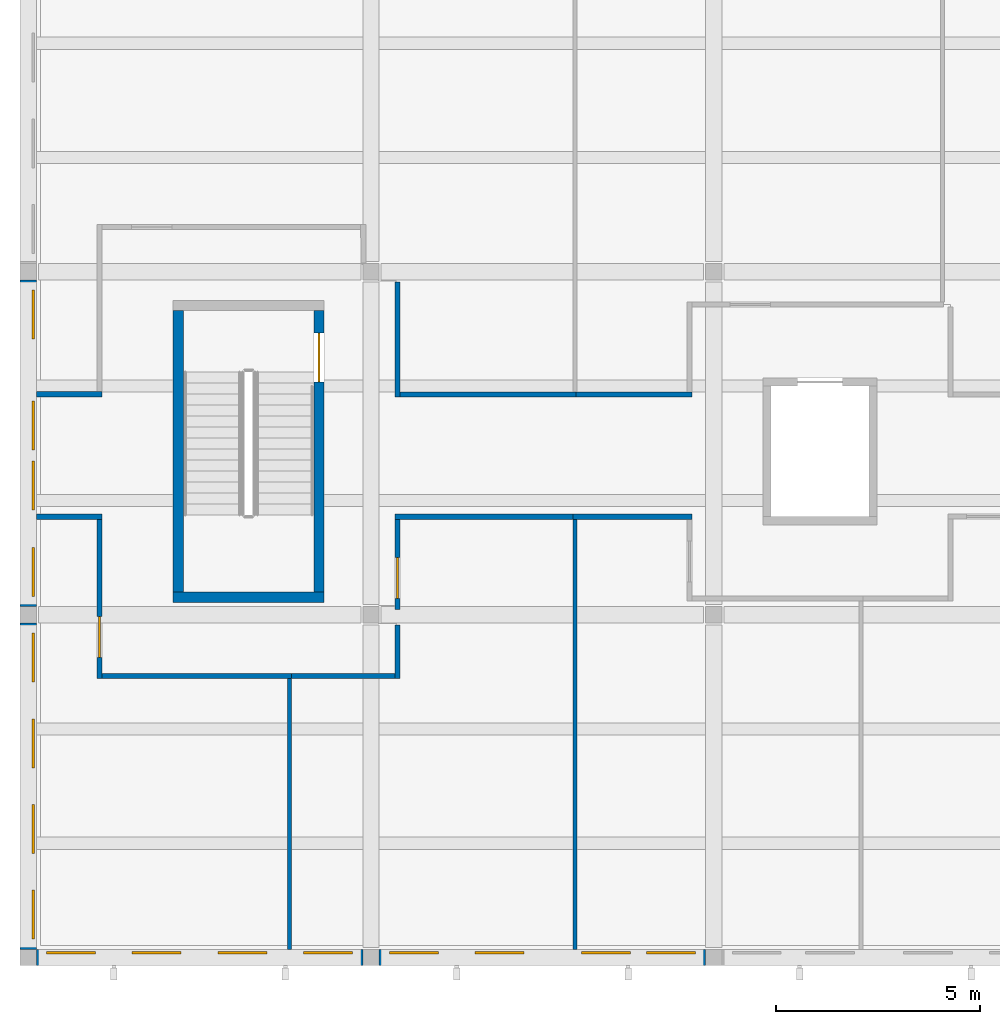
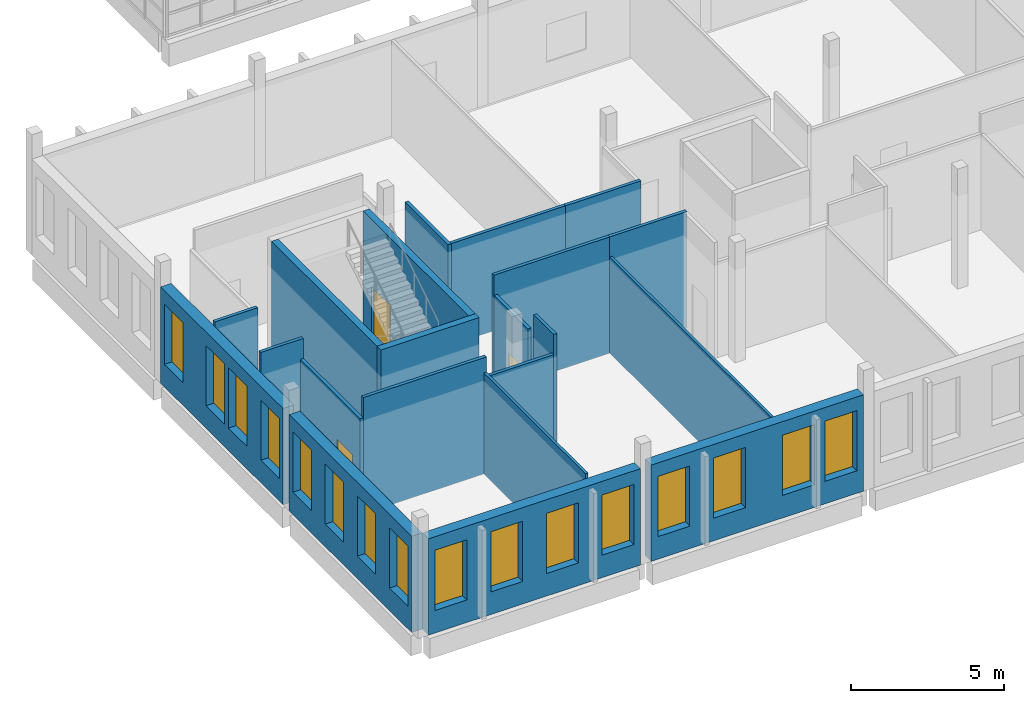
# One storey, part 49 of 103: 21 walls, 16 windows, 3 doors, 19 openings.
"""IFC4 building model written with IfcOpenShell, lengths in metres."""

from ifc_helpers import new_model, si_unit, direction, frame, frame_2d, origin, place, context, subcontext, project, spatial, rectangle, extrude, material, layer, layer_set, type_object, element, fill, save


model = new_model("IFC4")

# Units and contexts
model_context = context("Model", 3, precision=1e-05, world=origin(), true_north=direction((0.0, 1.0)))
body_context = subcontext(model_context, "Body", "Model", "MODEL_VIEW")
ifc_project = project(units=[si_unit("LENGTHUNIT", "METRE"), si_unit("AREAUNIT", "SQUARE_METRE"), si_unit("VOLUMEUNIT", "CUBIC_METRE"), si_unit("PLANEANGLEUNIT", "RADIAN"), si_unit("MASSUNIT", "GRAM", prefix="KILO")], contexts=[model_context])

# Site, building, storey
site_placement = place(None, origin())
site = spatial("IfcSite", under=ifc_project, at=site_placement, CompositionType="ELEMENT")
building_placement = place(site_placement, origin())
building = spatial("IfcBuilding", under=site, at=building_placement, Name="Larchfold Concert Hall", CompositionType="ELEMENT")
storey_placement = place(building_placement, frame((0.0, 0.0, 9.60009765625)))
storey = spatial("IfcBuildingStorey", under=building, at=storey_placement, Name="L02", CompositionType="ELEMENT", Elevation=9.60009765625)

# Wall
ifc_material_1 = material(Name="Plasterboard partition on steel studs", Category="steel")
ifc_layer_1 = layer(ifc_material_1, 0.125)
ifc_layer_set_1 = layer_set([ifc_layer_1], Name="Plasterboard partition on steel studs")
wall_type_1 = type_object("IfcWallType", Name="Corridor partition 125 EI 60", PredefinedType="PARTITIONING", material=ifc_layer_set_1)
wall_1_placement = place(storey_placement, frame((0.800048828125, 11.39990234375, 0.0), z_axis=(0.0, 0.0, 1.0), x_axis=(1.0, 0.0, 0.0)))
element("IfcWall", 1, at=wall_1_placement, inside=storey, type_object=wall_type_1, Name="Partition IW0060", PredefinedType="PARTITIONING", context=body_context, shape_type="SweptSolid", body=[
    extrude(rectangle(XDim=1.612548828125, YDim=0.125, at=frame_2d((0.80615234375, 0.0))), origin(), (0.0, 0.0, 1.0), 4.639892578125),
])

# Wall, opening, door
wall_2_placement = place(storey_placement, frame((2.35009765625, 11.33740234375, 0.0), z_axis=(0.0, 0.0, 1.0), x_axis=(0.0, -1.0, 0.0)))
wall_2 = element("IfcWall", 2, at=wall_2_placement, inside=storey, type_object=wall_type_1, Name="Partition IW0061", PredefinedType="PARTITIONING", context=body_context, shape_type="SweptSolid", body=[
    extrude(rectangle(XDim=3.89990234375, YDim=0.125, at=frame_2d((1.949951171875, 0.0))), origin(), (0.0, 0.0, 1.0), 3.840087890625),
])
opening_1_placement = place(wall_2_placement, frame((2.38720703125, 0.0, 0.0)))
opening_1 = element("IfcOpeningElement", 3, at=opening_1_placement, cuts=wall_2, Name="Opening D-L02-122", PredefinedType="OPENING", context=body_context, shape_type="SweptSolid", body=[
    extrude(rectangle(XDim=1.0, YDim=2.10009765625, at=frame_2d((0.5, 1.050048828125))), frame((0.0, 0.072509765625, 0.0), z_axis=(0.0, -1.0, 0.0), x_axis=(1.0, 0.0, 0.0)), (0.0, 0.0, 1.0), 0.14501953125),
])
ifc_material_2 = material(Name="Timber door leaf", Category="wood")
door_type_1 = type_object("IfcDoorType", Name="Room door 1000 x 2100 FD30S", OperationType="SINGLE_SWING_LEFT", PredefinedType="DOOR", material=ifc_material_2)
door_1_placement = place(opening_1_placement, origin())
door_1 = element("IfcDoor", 4, at=door_1_placement, inside=storey, type_object=door_type_1, Name="Door D-L02-122", OperationType="SINGLE_SWING_RIGHT", OverallHeight=2.10009765625, OverallWidth=1.0, PredefinedType="DOOR", context=body_context, shape_type="SweptSolid", body=[
    extrude(rectangle(XDim=1.0, YDim=2.10009765625, at=frame_2d((0.5, 1.050048828125))), frame((0.0, 0.02490234375, 0.0), z_axis=(0.0, -1.0, 0.0), x_axis=(1.0, 0.0, 0.0)), (0.0, 0.0, 1.0), 0.050048828125),
])
fill(opening_1, door_1)

# Walls
wall_3_placement = place(storey_placement, frame((2.41259765625, 7.5, 0.0), z_axis=(0.0, 0.0, 1.0), x_axis=(1.0, 0.0, 0.0)))
element("IfcWall", 5, at=wall_3_placement, inside=storey, type_object=wall_type_1, Name="Partition IW0062", PredefinedType="PARTITIONING", context=body_context, shape_type="SweptSolid", body=[
    extrude(rectangle(XDim=4.637451171875, YDim=0.125, at=frame_2d((2.31884765625, 0.0))), origin(), (0.0, 0.0, 1.0), 4.639892578125),
])
wall_4_placement = place(storey_placement, frame((13.949951171875, 11.39990234375, 0.0), z_axis=(0.0, 0.0, 1.0), x_axis=(1.0, 0.0, 0.0)))
element("IfcWall", 6, at=wall_4_placement, inside=storey, type_object=wall_type_1, Name="Partition IW0064", PredefinedType="PARTITIONING", context=body_context, shape_type="SweptSolid", body=[
    extrude(rectangle(XDim=2.91259765625, YDim=0.125, at=frame_2d((1.456298828125, 0.0))), origin(), (0.0, 0.0, 1.0), 4.639892578125),
])
wall_5_placement = place(storey_placement, frame((13.949951171875, 11.39990234375, 0.0), z_axis=(0.0, 0.0, 1.0), x_axis=(-1.0, 0.0, 0.0)))
element("IfcWall", 7, at=wall_5_placement, inside=storey, type_object=wall_type_1, Name="Partition IW0078", PredefinedType="PARTITIONING", context=body_context, shape_type="SweptSolid", body=[
    extrude(rectangle(XDim=4.362548828125, YDim=0.125, at=frame_2d((2.18115234375, 0.0))), origin(), (0.0, 0.0, 1.0), 4.639892578125),
])

# Wall, opening, door
wall_6_placement = place(storey_placement, frame((9.64990234375, 11.33740234375, 0.0), z_axis=(0.0, 0.0, 1.0), x_axis=(0.0, -1.0, 0.0)))
wall_6 = element("IfcWall", 8, at=wall_6_placement, inside=storey, type_object=wall_type_1, Name="Partition IW0079", PredefinedType="PARTITIONING", context=body_context, shape_type="SweptSolid", body=[
    extrude(rectangle(XDim=2.2099609375, YDim=0.125, at=frame_2d((1.10498046875, 0.0))), origin(), (0.0, 0.0, 1.0), 3.840087890625),
])
opening_2_placement = place(wall_6_placement, frame((0.9384765625, 0.0, 0.0)))
opening_2 = element("IfcOpeningElement", 9, at=opening_2_placement, cuts=wall_6, Name="Opening D-L02-126", PredefinedType="OPENING", context=body_context, shape_type="SweptSolid", body=[
    extrude(rectangle(XDim=1.0, YDim=2.10009765625, at=frame_2d((0.5, 1.050048828125))), frame((0.0, 0.072509765625, 0.0), z_axis=(0.0, -1.0, 0.0), x_axis=(1.0, 0.0, 0.0)), (0.0, 0.0, 1.0), 0.14501953125),
])
door_2_placement = place(opening_2_placement, origin())
door_2 = element("IfcDoor", 10, at=door_2_placement, inside=storey, type_object=door_type_1, Name="Door D-L02-126", OperationType="SINGLE_SWING_RIGHT", OverallHeight=2.10009765625, OverallWidth=1.0, PredefinedType="DOOR", context=body_context, shape_type="SweptSolid", body=[
    extrude(rectangle(XDim=1.0, YDim=2.10009765625, at=frame_2d((0.5, 1.050048828125))), frame((0.0, 0.02490234375, 0.0), z_axis=(0.0, -1.0, 0.0), x_axis=(1.0, 0.0, 0.0)), (0.0, 0.0, 1.0), 0.050048828125),
])
fill(opening_2, door_2)

# Walls
wall_7_placement = place(storey_placement, frame((9.64892578125, 8.74755859375, 0.0), z_axis=(0.0, 0.0, 1.0), x_axis=(0.0, -1.0, 0.0)))
element("IfcWall", 11, at=wall_7_placement, inside=storey, type_object=wall_type_1, Name="Partition IW0080", PredefinedType="PARTITIONING", context=body_context, shape_type="SweptSolid", body=[
    extrude(rectangle(XDim=1.30908203125, YDim=0.125, at=frame_2d((0.654541015625, 0.0))), origin(), (0.0, 0.0, 1.0), 4.639892578125),
])
wall_8_placement = place(storey_placement, frame((9.58642578125, 7.5009765625, 0.0), z_axis=(0.0, 0.0, 1.0), x_axis=(-1.0, 0.0, 0.0)))
element("IfcWall", 12, at=wall_8_placement, inside=storey, type_object=wall_type_1, Name="Partition IW0081", PredefinedType="PARTITIONING", context=body_context, shape_type="SweptSolid", body=[
    extrude(rectangle(XDim=2.536376953125, YDim=0.125, at=frame_2d((1.26806640625, 0.0))), origin(), (0.0, 0.0, 1.0), 3.840087890625),
])
wall_9_placement = place(storey_placement, frame((0.800048828125, 14.39990234375, 0.0), z_axis=(0.0, 0.0, 1.0), x_axis=(1.0, 0.0, 0.0)))
element("IfcWall", 13, at=wall_9_placement, inside=storey, type_object=wall_type_1, Name="Partition IW0088", PredefinedType="PARTITIONING", context=body_context, shape_type="SweptSolid", body=[
    extrude(rectangle(XDim=1.613525390625, YDim=0.125, at=frame_2d((0.806640625, 0.0))), origin(), (0.0, 0.0, 1.0), 4.039794921875),
])
wall_10_placement = place(storey_placement, frame((9.64892578125, 17.1474609375, 0.0), z_axis=(0.0, 0.0, 1.0), x_axis=(0.00034740314, -0.999999939656, 0.0)))
element("IfcWall", 14, at=wall_10_placement, inside=storey, type_object=wall_type_1, Name="Partition IW0092", PredefinedType="PARTITIONING", context=body_context, shape_type="SweptSolid", body=[
    extrude(rectangle(XDim=2.81103515625, YDim=0.125, at=frame_2d((1.405517578125, 0.0))), origin(), (0.0, 0.0, 1.0), 4.039794921875),
])
wall_11_placement = place(storey_placement, frame((9.71240234375, 14.39892578125, 0.0), z_axis=(0.0, 0.0, 1.0), x_axis=(1.0, 0.0, 0.0)))
element("IfcWall", 15, at=wall_11_placement, inside=storey, type_object=wall_type_1, Name="Partition IW0093", PredefinedType="PARTITIONING", context=body_context, shape_type="SweptSolid", body=[
    extrude(rectangle(XDim=4.3076171875, YDim=0.125, at=frame_2d((2.15380859375, 0.0))), origin(), (0.0, 0.0, 1.0), 4.039794921875),
])
wall_12_placement = place(storey_placement, frame((14.02001953125, 14.39892578125, 0.0), z_axis=(0.0, 0.0, 1.0), x_axis=(1.0, 0.0, 0.0)))
element("IfcWall", 16, at=wall_12_placement, inside=storey, type_object=wall_type_1, Name="Partition IW0101", PredefinedType="PARTITIONING", context=body_context, shape_type="SweptSolid", body=[
    extrude(rectangle(XDim=2.842529296875, YDim=0.125, at=frame_2d((1.42138671875, 0.0))), origin(), (0.0, 0.0, 1.0), 4.039794921875),
])

# Wall, openings, windows
ifc_material_3 = material(Name="Larch cladding on mineral wool and CLT", Category="wood")
ifc_layer_2 = layer(ifc_material_3, 0.39990234375)
ifc_layer_set_2 = layer_set([ifc_layer_2], Name="Larch cladding on mineral wool and CLT")
wall_type_2 = type_object("IfcWallType", Name="Larch clad infill wall 400", PredefinedType="SOLIDWALL", material=ifc_layer_set_2)
wall_13_placement = place(storey_placement, frame((0.60009765625, 17.199951171875, 0.0), z_axis=(0.0, 0.0, 1.0), x_axis=(0.0, -1.0, 0.0)))
wall_13 = element("IfcWall", 17, at=wall_13_placement, inside=storey, type_object=wall_type_2, Name="Infill wall W5044", PredefinedType="SOLIDWALL", context=body_context, shape_type="SweptSolid", body=[
    extrude(rectangle(XDim=8.0, YDim=0.39990234375, at=frame_2d((4.0, 0.0))), origin(), (0.0, 0.0, 1.0), 3.840087890625),
])
opening_3_placement = place(wall_13_placement, frame((6.550048828125, 0.0, 0.89990234375)))
opening_3 = element("IfcOpeningElement", 18, at=opening_3_placement, cuts=wall_13, Name="Opening WN-L02-030", PredefinedType="OPENING", context=body_context, shape_type="SweptSolid", body=[
    extrude(rectangle(XDim=1.199951171875, YDim=2.39990234375, at=frame_2d((0.60009765625, 1.199951171875))), frame((0.0, 0.2099609375, 0.0), z_axis=(0.0, -1.0, 0.0), x_axis=(1.0, 0.0, 0.0)), (0.0, 0.0, 1.0), 0.419921875),
])
opening_4_placement = place(wall_13_placement, frame((4.43505859375, 0.0, 0.89990234375)))
opening_4 = element("IfcOpeningElement", 19, at=opening_4_placement, cuts=wall_13, Name="Opening WN-L02-031", PredefinedType="OPENING", context=body_context, shape_type="SweptSolid", body=[
    extrude(rectangle(XDim=1.199951171875, YDim=2.39990234375, at=frame_2d((0.60009765625, 1.199951171875))), frame((0.0, 0.2099609375, 0.0), z_axis=(0.0, -1.0, 0.0), x_axis=(1.0, 0.0, 0.0)), (0.0, 0.0, 1.0), 0.419921875),
])
opening_5_placement = place(wall_13_placement, frame((2.96484375, 0.0, 0.89990234375)))
opening_5 = element("IfcOpeningElement", 20, at=opening_5_placement, cuts=wall_13, Name="Opening WN-L02-032", PredefinedType="OPENING", context=body_context, shape_type="SweptSolid", body=[
    extrude(rectangle(XDim=1.199951171875, YDim=2.39990234375, at=frame_2d((0.60009765625, 1.199951171875))), frame((0.0, 0.2099609375, 0.0), z_axis=(0.0, -1.0, 0.0), x_axis=(1.0, 0.0, 0.0)), (0.0, 0.0, 1.0), 0.419921875),
])
opening_6_placement = place(wall_13_placement, frame((0.25, 0.0, 0.89990234375)))
opening_6 = element("IfcOpeningElement", 21, at=opening_6_placement, cuts=wall_13, Name="Opening WN-L02-033", PredefinedType="OPENING", context=body_context, shape_type="SweptSolid", body=[
    extrude(rectangle(XDim=1.199951171875, YDim=2.39990234375, at=frame_2d((0.60009765625, 1.199951171875))), frame((0.0, 0.2099609375, 0.0), z_axis=(0.0, -1.0, 0.0), x_axis=(1.0, 0.0, 0.0)), (0.0, 0.0, 1.0), 0.419921875),
])
ifc_material_4 = material(Name="Anodised graphite aluminium frame with glass", Category="aluminium")
window_type = type_object("IfcWindowType", Name="Slot window 1200x2400", PartitioningType="SINGLE_PANEL", PredefinedType="WINDOW", material=ifc_material_4)
window_1_placement = place(opening_3_placement, origin())
window_1 = element("IfcWindow", 22, at=window_1_placement, inside=storey, type_object=window_type, Name="Window WN-L02-030", OverallHeight=2.39990234375, OverallWidth=1.199951171875, PartitioningType="SINGLE_PANEL", PredefinedType="WINDOW", context=body_context, shape_type="SweptSolid", body=[
    extrude(rectangle(XDim=1.199951171875, YDim=2.39990234375, at=frame_2d((0.60009765625, 1.199951171875))), frame((0.0, 0.150146484375, 0.0), z_axis=(0.0, -1.0, 0.0), x_axis=(1.0, 0.0, 0.0)), (0.0, 0.0, 1.0), 0.06005859375),
])
fill(opening_3, window_1)
window_2_placement = place(opening_4_placement, origin())
window_2 = element("IfcWindow", 23, at=window_2_placement, inside=storey, type_object=window_type, Name="Window WN-L02-031", OverallHeight=2.39990234375, OverallWidth=1.199951171875, PartitioningType="SINGLE_PANEL", PredefinedType="WINDOW", context=body_context, shape_type="SweptSolid", body=[
    extrude(rectangle(XDim=1.199951171875, YDim=2.39990234375, at=frame_2d((0.60009765625, 1.199951171875))), frame((0.0, 0.150146484375, 0.0), z_axis=(0.0, -1.0, 0.0), x_axis=(1.0, 0.0, 0.0)), (0.0, 0.0, 1.0), 0.06005859375),
])
fill(opening_4, window_2)
window_3_placement = place(opening_5_placement, origin())
window_3 = element("IfcWindow", 24, at=window_3_placement, inside=storey, type_object=window_type, Name="Window WN-L02-032", OverallHeight=2.39990234375, OverallWidth=1.199951171875, PartitioningType="SINGLE_PANEL", PredefinedType="WINDOW", context=body_context, shape_type="SweptSolid", body=[
    extrude(rectangle(XDim=1.199951171875, YDim=2.39990234375, at=frame_2d((0.60009765625, 1.199951171875))), frame((0.0, 0.150146484375, 0.0), z_axis=(0.0, -1.0, 0.0), x_axis=(1.0, 0.0, 0.0)), (0.0, 0.0, 1.0), 0.06005859375),
])
fill(opening_5, window_3)
window_4_placement = place(opening_6_placement, origin())
window_4 = element("IfcWindow", 25, at=window_4_placement, inside=storey, type_object=window_type, Name="Window WN-L02-033", OverallHeight=2.39990234375, OverallWidth=1.199951171875, PartitioningType="SINGLE_PANEL", PredefinedType="WINDOW", context=body_context, shape_type="SweptSolid", body=[
    extrude(rectangle(XDim=1.199951171875, YDim=2.39990234375, at=frame_2d((0.60009765625, 1.199951171875))), frame((0.0, 0.150146484375, 0.0), z_axis=(0.0, -1.0, 0.0), x_axis=(1.0, 0.0, 0.0)), (0.0, 0.0, 1.0), 0.06005859375),
])
fill(opening_6, window_4)

wall_14_placement = place(storey_placement, frame((0.60009765625, 8.800048828125, 0.0), z_axis=(0.0, 0.0, 1.0), x_axis=(0.0, -1.0, 0.0)))
wall_14 = element("IfcWall", 26, at=wall_14_placement, inside=storey, type_object=wall_type_2, Name="Infill wall W5045", PredefinedType="SOLIDWALL", context=body_context, shape_type="SweptSolid", body=[
    extrude(rectangle(XDim=8.0, YDim=0.39990234375, at=frame_2d((4.0, 0.0))), origin(), (0.0, 0.0, 1.0), 3.840087890625),
])
opening_7_placement = place(wall_14_placement, frame((6.550048828125, 0.0, 0.89990234375)))
opening_7 = element("IfcOpeningElement", 27, at=opening_7_placement, cuts=wall_14, Name="Opening WN-L02-034", PredefinedType="OPENING", context=body_context, shape_type="SweptSolid", body=[
    extrude(rectangle(XDim=1.199951171875, YDim=2.39990234375, at=frame_2d((0.60009765625, 1.199951171875))), frame((0.0, 0.2099609375, 0.0), z_axis=(0.0, -1.0, 0.0), x_axis=(1.0, 0.0, 0.0)), (0.0, 0.0, 1.0), 0.419921875),
])
opening_8_placement = place(wall_14_placement, frame((4.449951171875, 0.0, 0.89990234375)))
opening_8 = element("IfcOpeningElement", 28, at=opening_8_placement, cuts=wall_14, Name="Opening WN-L02-035", PredefinedType="OPENING", context=body_context, shape_type="SweptSolid", body=[
    extrude(rectangle(XDim=1.199951171875, YDim=2.39990234375, at=frame_2d((0.60009765625, 1.199951171875))), frame((0.0, 0.2099609375, 0.0), z_axis=(0.0, -1.0, 0.0), x_axis=(1.0, 0.0, 0.0)), (0.0, 0.0, 1.0), 0.419921875),
])
opening_9_placement = place(wall_14_placement, frame((2.35009765625, 0.0, 0.89990234375)))
opening_9 = element("IfcOpeningElement", 29, at=opening_9_placement, cuts=wall_14, Name="Opening WN-L02-036", PredefinedType="OPENING", context=body_context, shape_type="SweptSolid", body=[
    extrude(rectangle(XDim=1.199951171875, YDim=2.39990234375, at=frame_2d((0.60009765625, 1.199951171875))), frame((0.0, 0.2099609375, 0.0), z_axis=(0.0, -1.0, 0.0), x_axis=(1.0, 0.0, 0.0)), (0.0, 0.0, 1.0), 0.419921875),
])
opening_10_placement = place(wall_14_placement, frame((0.25, 0.0, 0.89990234375)))
opening_10 = element("IfcOpeningElement", 30, at=opening_10_placement, cuts=wall_14, Name="Opening WN-L02-037", PredefinedType="OPENING", context=body_context, shape_type="SweptSolid", body=[
    extrude(rectangle(XDim=1.199951171875, YDim=2.39990234375, at=frame_2d((0.60009765625, 1.199951171875))), frame((0.0, 0.2099609375, 0.0), z_axis=(0.0, -1.0, 0.0), x_axis=(1.0, 0.0, 0.0)), (0.0, 0.0, 1.0), 0.419921875),
])
window_5_placement = place(opening_7_placement, origin())
window_5 = element("IfcWindow", 31, at=window_5_placement, inside=storey, type_object=window_type, Name="Window WN-L02-034", OverallHeight=2.39990234375, OverallWidth=1.199951171875, PartitioningType="SINGLE_PANEL", PredefinedType="WINDOW", context=body_context, shape_type="SweptSolid", body=[
    extrude(rectangle(XDim=1.199951171875, YDim=2.39990234375, at=frame_2d((0.60009765625, 1.199951171875))), frame((0.0, 0.150146484375, 0.0), z_axis=(0.0, -1.0, 0.0), x_axis=(1.0, 0.0, 0.0)), (0.0, 0.0, 1.0), 0.06005859375),
])
fill(opening_7, window_5)
window_6_placement = place(opening_8_placement, origin())
window_6 = element("IfcWindow", 32, at=window_6_placement, inside=storey, type_object=window_type, Name="Window WN-L02-035", OverallHeight=2.39990234375, OverallWidth=1.199951171875, PartitioningType="SINGLE_PANEL", PredefinedType="WINDOW", context=body_context, shape_type="SweptSolid", body=[
    extrude(rectangle(XDim=1.199951171875, YDim=2.39990234375, at=frame_2d((0.60009765625, 1.199951171875))), frame((0.0, 0.150146484375, 0.0), z_axis=(0.0, -1.0, 0.0), x_axis=(1.0, 0.0, 0.0)), (0.0, 0.0, 1.0), 0.06005859375),
])
fill(opening_8, window_6)
window_7_placement = place(opening_9_placement, origin())
window_7 = element("IfcWindow", 33, at=window_7_placement, inside=storey, type_object=window_type, Name="Window WN-L02-036", OverallHeight=2.39990234375, OverallWidth=1.199951171875, PartitioningType="SINGLE_PANEL", PredefinedType="WINDOW", context=body_context, shape_type="SweptSolid", body=[
    extrude(rectangle(XDim=1.199951171875, YDim=2.39990234375, at=frame_2d((0.60009765625, 1.199951171875))), frame((0.0, 0.150146484375, 0.0), z_axis=(0.0, -1.0, 0.0), x_axis=(1.0, 0.0, 0.0)), (0.0, 0.0, 1.0), 0.06005859375),
])
fill(opening_9, window_7)
window_8_placement = place(opening_10_placement, origin())
window_8 = element("IfcWindow", 34, at=window_8_placement, inside=storey, type_object=window_type, Name="Window WN-L02-037", OverallHeight=2.39990234375, OverallWidth=1.199951171875, PartitioningType="SINGLE_PANEL", PredefinedType="WINDOW", context=body_context, shape_type="SweptSolid", body=[
    extrude(rectangle(XDim=1.199951171875, YDim=2.39990234375, at=frame_2d((0.60009765625, 1.199951171875))), frame((0.0, 0.150146484375, 0.0), z_axis=(0.0, -1.0, 0.0), x_axis=(1.0, 0.0, 0.0)), (0.0, 0.0, 1.0), 0.06005859375),
])
fill(opening_10, window_8)

wall_15_placement = place(storey_placement, frame((0.800048828125, 0.60009765625, 0.0), z_axis=(0.0, 0.0, 1.0), x_axis=(1.0, 0.0, 0.0)))
wall_15 = element("IfcWall", 35, at=wall_15_placement, inside=storey, type_object=wall_type_2, Name="Infill wall W5046", PredefinedType="SOLIDWALL", context=body_context, shape_type="SweptSolid", body=[
    extrude(rectangle(XDim=8.0, YDim=0.39990234375, at=frame_2d((4.0, 0.0))), origin(), (0.0, 0.0, 1.0), 3.840087890625),
])
opening_11_placement = place(wall_15_placement, frame((0.25, 0.0, 0.89990234375)))
opening_11 = element("IfcOpeningElement", 36, at=opening_11_placement, cuts=wall_15, Name="Opening WN-L02-038", PredefinedType="OPENING", context=body_context, shape_type="SweptSolid", body=[
    extrude(rectangle(XDim=1.199951171875, YDim=2.39990234375, at=frame_2d((0.60009765625, 1.199951171875))), frame((0.0, 0.2099609375, 0.0), z_axis=(0.0, -1.0, 0.0), x_axis=(1.0, 0.0, 0.0)), (0.0, 0.0, 1.0), 0.419921875),
])
opening_12_placement = place(wall_15_placement, frame((2.349853515625, 0.0, 0.89990234375)))
opening_12 = element("IfcOpeningElement", 37, at=opening_12_placement, cuts=wall_15, Name="Opening WN-L02-039", PredefinedType="OPENING", context=body_context, shape_type="SweptSolid", body=[
    extrude(rectangle(XDim=1.199951171875, YDim=2.39990234375, at=frame_2d((0.60009765625, 1.199951171875))), frame((0.0, 0.2099609375, 0.0), z_axis=(0.0, -1.0, 0.0), x_axis=(1.0, 0.0, 0.0)), (0.0, 0.0, 1.0), 0.419921875),
])
opening_13_placement = place(wall_15_placement, frame((4.449951171875, 0.0, 0.89990234375)))
opening_13 = element("IfcOpeningElement", 38, at=opening_13_placement, cuts=wall_15, Name="Opening WN-L02-040", PredefinedType="OPENING", context=body_context, shape_type="SweptSolid", body=[
    extrude(rectangle(XDim=1.199951171875, YDim=2.39990234375, at=frame_2d((0.60009765625, 1.199951171875))), frame((0.0, 0.2099609375, 0.0), z_axis=(0.0, -1.0, 0.0), x_axis=(1.0, 0.0, 0.0)), (0.0, 0.0, 1.0), 0.419921875),
])
opening_14_placement = place(wall_15_placement, frame((6.550048828125, 0.0, 0.89990234375)))
opening_14 = element("IfcOpeningElement", 39, at=opening_14_placement, cuts=wall_15, Name="Opening WN-L02-041", PredefinedType="OPENING", context=body_context, shape_type="SweptSolid", body=[
    extrude(rectangle(XDim=1.199951171875, YDim=2.39990234375, at=frame_2d((0.60009765625, 1.199951171875))), frame((0.0, 0.2099609375, 0.0), z_axis=(0.0, -1.0, 0.0), x_axis=(1.0, 0.0, 0.0)), (0.0, 0.0, 1.0), 0.419921875),
])
window_9_placement = place(opening_11_placement, origin())
window_9 = element("IfcWindow", 40, at=window_9_placement, inside=storey, type_object=window_type, Name="Window WN-L02-038", OverallHeight=2.39990234375, OverallWidth=1.199951171875, PartitioningType="SINGLE_PANEL", PredefinedType="WINDOW", context=body_context, shape_type="SweptSolid", body=[
    extrude(rectangle(XDim=1.199951171875, YDim=2.39990234375, at=frame_2d((0.60009765625, 1.199951171875))), frame((0.0, 0.150146484375, 0.0), z_axis=(0.0, -1.0, 0.0), x_axis=(1.0, 0.0, 0.0)), (0.0, 0.0, 1.0), 0.06005859375),
])
fill(opening_11, window_9)
window_10_placement = place(opening_12_placement, origin())
window_10 = element("IfcWindow", 41, at=window_10_placement, inside=storey, type_object=window_type, Name="Window WN-L02-039", OverallHeight=2.39990234375, OverallWidth=1.199951171875, PartitioningType="SINGLE_PANEL", PredefinedType="WINDOW", context=body_context, shape_type="SweptSolid", body=[
    extrude(rectangle(XDim=1.199951171875, YDim=2.39990234375, at=frame_2d((0.60009765625, 1.199951171875))), frame((0.0, 0.150146484375, 0.0), z_axis=(0.0, -1.0, 0.0), x_axis=(1.0, 0.0, 0.0)), (0.0, 0.0, 1.0), 0.06005859375),
])
fill(opening_12, window_10)
window_11_placement = place(opening_13_placement, origin())
window_11 = element("IfcWindow", 42, at=window_11_placement, inside=storey, type_object=window_type, Name="Window WN-L02-040", OverallHeight=2.39990234375, OverallWidth=1.199951171875, PartitioningType="SINGLE_PANEL", PredefinedType="WINDOW", context=body_context, shape_type="SweptSolid", body=[
    extrude(rectangle(XDim=1.199951171875, YDim=2.39990234375, at=frame_2d((0.60009765625, 1.199951171875))), frame((0.0, 0.150146484375, 0.0), z_axis=(0.0, -1.0, 0.0), x_axis=(1.0, 0.0, 0.0)), (0.0, 0.0, 1.0), 0.06005859375),
])
fill(opening_13, window_11)
window_12_placement = place(opening_14_placement, origin())
window_12 = element("IfcWindow", 43, at=window_12_placement, inside=storey, type_object=window_type, Name="Window WN-L02-041", OverallHeight=2.39990234375, OverallWidth=1.199951171875, PartitioningType="SINGLE_PANEL", PredefinedType="WINDOW", context=body_context, shape_type="SweptSolid", body=[
    extrude(rectangle(XDim=1.199951171875, YDim=2.39990234375, at=frame_2d((0.60009765625, 1.199951171875))), frame((0.0, 0.150146484375, 0.0), z_axis=(0.0, -1.0, 0.0), x_axis=(1.0, 0.0, 0.0)), (0.0, 0.0, 1.0), 0.06005859375),
])
fill(opening_14, window_12)

wall_16_placement = place(storey_placement, frame((9.199951171875, 0.60009765625, 0.0), z_axis=(0.0, 0.0, 1.0), x_axis=(1.0, 0.0, 0.0)))
wall_16 = element("IfcWall", 44, at=wall_16_placement, inside=storey, type_object=wall_type_2, Name="Infill wall W5047", PredefinedType="SOLIDWALL", context=body_context, shape_type="SweptSolid", body=[
    extrude(rectangle(XDim=8.0, YDim=0.39990234375, at=frame_2d((4.0, 0.0))), origin(), (0.0, 0.0, 1.0), 3.840087890625),
])
opening_15_placement = place(wall_16_placement, frame((0.25, 0.0, 0.89990234375)))
opening_15 = element("IfcOpeningElement", 45, at=opening_15_placement, cuts=wall_16, Name="Opening WN-L02-042", PredefinedType="OPENING", context=body_context, shape_type="SweptSolid", body=[
    extrude(rectangle(XDim=1.199951171875, YDim=2.39990234375, at=frame_2d((0.60009765625, 1.199951171875))), frame((0.0, 0.2099609375, 0.0), z_axis=(0.0, -1.0, 0.0), x_axis=(1.0, 0.0, 0.0)), (0.0, 0.0, 1.0), 0.419921875),
])
opening_16_placement = place(wall_16_placement, frame((2.35009765625, 0.0, 0.89990234375)))
opening_16 = element("IfcOpeningElement", 46, at=opening_16_placement, cuts=wall_16, Name="Opening WN-L02-043", PredefinedType="OPENING", context=body_context, shape_type="SweptSolid", body=[
    extrude(rectangle(XDim=1.199951171875, YDim=2.39990234375, at=frame_2d((0.60009765625, 1.199951171875))), frame((0.0, 0.2099609375, 0.0), z_axis=(0.0, -1.0, 0.0), x_axis=(1.0, 0.0, 0.0)), (0.0, 0.0, 1.0), 0.419921875),
])
opening_17_placement = place(wall_16_placement, frame((4.954833984375, 0.0, 0.89990234375)))
opening_17 = element("IfcOpeningElement", 47, at=opening_17_placement, cuts=wall_16, Name="Opening WN-L02-044", PredefinedType="OPENING", context=body_context, shape_type="SweptSolid", body=[
    extrude(rectangle(XDim=1.199951171875, YDim=2.39990234375, at=frame_2d((0.60009765625, 1.199951171875))), frame((0.0, 0.2099609375, 0.0), z_axis=(0.0, -1.0, 0.0), x_axis=(1.0, 0.0, 0.0)), (0.0, 0.0, 1.0), 0.419921875),
])
opening_18_placement = place(wall_16_placement, frame((6.550048828125, 0.0, 0.89990234375)))
opening_18 = element("IfcOpeningElement", 48, at=opening_18_placement, cuts=wall_16, Name="Opening WN-L02-045", PredefinedType="OPENING", context=body_context, shape_type="SweptSolid", body=[
    extrude(rectangle(XDim=1.199951171875, YDim=2.39990234375, at=frame_2d((0.60009765625, 1.199951171875))), frame((0.0, 0.2099609375, 0.0), z_axis=(0.0, -1.0, 0.0), x_axis=(1.0, 0.0, 0.0)), (0.0, 0.0, 1.0), 0.419921875),
])
window_13_placement = place(opening_15_placement, origin())
window_13 = element("IfcWindow", 49, at=window_13_placement, inside=storey, type_object=window_type, Name="Window WN-L02-042", OverallHeight=2.39990234375, OverallWidth=1.199951171875, PartitioningType="SINGLE_PANEL", PredefinedType="WINDOW", context=body_context, shape_type="SweptSolid", body=[
    extrude(rectangle(XDim=1.199951171875, YDim=2.39990234375, at=frame_2d((0.60009765625, 1.199951171875))), frame((0.0, 0.150146484375, 0.0), z_axis=(0.0, -1.0, 0.0), x_axis=(1.0, 0.0, 0.0)), (0.0, 0.0, 1.0), 0.06005859375),
])
fill(opening_15, window_13)
window_14_placement = place(opening_16_placement, origin())
window_14 = element("IfcWindow", 50, at=window_14_placement, inside=storey, type_object=window_type, Name="Window WN-L02-043", OverallHeight=2.39990234375, OverallWidth=1.199951171875, PartitioningType="SINGLE_PANEL", PredefinedType="WINDOW", context=body_context, shape_type="SweptSolid", body=[
    extrude(rectangle(XDim=1.199951171875, YDim=2.39990234375, at=frame_2d((0.60009765625, 1.199951171875))), frame((0.0, 0.150146484375, 0.0), z_axis=(0.0, -1.0, 0.0), x_axis=(1.0, 0.0, 0.0)), (0.0, 0.0, 1.0), 0.06005859375),
])
fill(opening_16, window_14)
window_15_placement = place(opening_17_placement, origin())
window_15 = element("IfcWindow", 51, at=window_15_placement, inside=storey, type_object=window_type, Name="Window WN-L02-044", OverallHeight=2.39990234375, OverallWidth=1.199951171875, PartitioningType="SINGLE_PANEL", PredefinedType="WINDOW", context=body_context, shape_type="SweptSolid", body=[
    extrude(rectangle(XDim=1.199951171875, YDim=2.39990234375, at=frame_2d((0.60009765625, 1.199951171875))), frame((0.0, 0.150146484375, 0.0), z_axis=(0.0, -1.0, 0.0), x_axis=(1.0, 0.0, 0.0)), (0.0, 0.0, 1.0), 0.06005859375),
])
fill(opening_17, window_15)
window_16_placement = place(opening_18_placement, origin())
window_16 = element("IfcWindow", 52, at=window_16_placement, inside=storey, type_object=window_type, Name="Window WN-L02-045", OverallHeight=2.39990234375, OverallWidth=1.199951171875, PartitioningType="SINGLE_PANEL", PredefinedType="WINDOW", context=body_context, shape_type="SweptSolid", body=[
    extrude(rectangle(XDim=1.199951171875, YDim=2.39990234375, at=frame_2d((0.60009765625, 1.199951171875))), frame((0.0, 0.150146484375, 0.0), z_axis=(0.0, -1.0, 0.0), x_axis=(1.0, 0.0, 0.0)), (0.0, 0.0, 1.0), 0.06005859375),
])
fill(opening_18, window_16)

# Walls
ifc_material_5 = material(Name="Plasterboard partition on steel studs", Category="steel")
ifc_layer_3 = layer(ifc_material_5, 0.10009765625)
ifc_layer_set_3 = layer_set([ifc_layer_3], Name="Plasterboard partition on steel studs")
wall_type_3 = type_object("IfcWallType", Name="Stud partition 100", PredefinedType="PARTITIONING", material=ifc_layer_set_3)
wall_17_placement = place(storey_placement, frame((7.0, 7.4375, 0.0), z_axis=(0.0, 0.0, 1.0), x_axis=(0.0, -1.0, 0.0)))
element("IfcWall", 53, at=wall_17_placement, inside=storey, type_object=wall_type_3, Name="Partition IW0063", PredefinedType="PARTITIONING", context=body_context, shape_type="SweptSolid", body=[
    extrude(rectangle(XDim=6.637451171875, YDim=0.10009765625, at=frame_2d((3.31884765625, 0.0))), origin(), (0.0, 0.0, 1.0), 4.039794921875),
])
wall_18_placement = place(storey_placement, frame((14.0, 0.800048828125, 0.0), z_axis=(0.0, 0.0, 1.0), x_axis=(0.0, 1.0, 0.0)))
element("IfcWall", 54, at=wall_18_placement, inside=storey, type_object=wall_type_3, Name="Partition IW0067", PredefinedType="PARTITIONING", context=body_context, shape_type="SweptSolid", body=[
    extrude(rectangle(XDim=10.537353515625, YDim=0.10009765625, at=frame_2d((5.2685546875, 0.0))), origin(), (0.0, 0.0, 1.0), 3.840087890625),
])
ifc_material_6 = material(Name="Concrete C40/50", Category="concrete")
ifc_layer_4 = layer(ifc_material_6, 0.25)
ifc_layer_set_4 = layer_set([ifc_layer_4], Name="Concrete C40/50")
wall_type_4 = type_object("IfcWallType", Name="Wall RC 250 stair core", PredefinedType="SOLIDWALL", material=ifc_layer_set_4)
wall_19_placement = place(storey_placement, frame((4.14990234375, 9.425048828125, 0.0), z_axis=(0.0, 0.0, 1.0), x_axis=(1.0, 0.0, 0.0)))
element("IfcWall", 55, at=wall_19_placement, inside=storey, type_object=wall_type_4, Name="Wall W0103", PredefinedType="SOLIDWALL", context=body_context, shape_type="SweptSolid", body=[
    extrude(rectangle(XDim=3.7001953125, YDim=0.25, at=frame_2d((1.85009765625, 0.0))), origin(), (0.0, 0.0, 1.0), 4.7998046875),
])
wall_20_placement = place(storey_placement, frame((4.27490234375, 9.550048828125, 0.0), z_axis=(0.0, 0.0, 1.0), x_axis=(0.0, 1.0, 0.0)))
element("IfcWall", 56, at=wall_20_placement, inside=storey, type_object=wall_type_4, Name="Wall W0105", PredefinedType="SOLIDWALL", context=body_context, shape_type="SweptSolid", body=[
    extrude(rectangle(XDim=6.89990234375, YDim=0.25, at=frame_2d((3.449951171875, 0.0))), origin(), (0.0, 0.0, 1.0), 4.7998046875),
])

# Wall, opening, door
wall_21_placement = place(storey_placement, frame((7.72509765625, 9.550048828125, 0.0), z_axis=(0.0, 0.0, 1.0), x_axis=(0.0, 1.0, 0.0)))
wall_21 = element("IfcWall", 57, at=wall_21_placement, inside=storey, type_object=wall_type_4, Name="Wall W0106", PredefinedType="SOLIDWALL", context=body_context, shape_type="SweptSolid", body=[
    extrude(rectangle(XDim=6.89990234375, YDim=0.25, at=frame_2d((3.449951171875, 0.0))), origin(), (0.0, 0.0, 1.0), 4.7998046875),
])
opening_19_placement = place(wall_21_placement, frame((5.14990234375, 0.0, 0.0)))
opening_19 = element("IfcOpeningElement", 58, at=opening_19_placement, cuts=wall_21, Name="Opening D-L02-155", PredefinedType="OPENING", context=body_context, shape_type="SweptSolid", body=[
    extrude(rectangle(XDim=1.199951171875, YDim=2.10009765625, at=frame_2d((0.60009765625, 1.050048828125))), frame((0.0, 0.135009765625, 0.0), z_axis=(0.0, -1.0, 0.0), x_axis=(1.0, 0.0, 0.0)), (0.0, 0.0, 1.0), 0.27001953125),
])
ifc_material_7 = material(Name="Timber door leaf", Category="wood")
door_type_2 = type_object("IfcDoorType", Name="Stair enclosure door pair 1200 x 2100 FD60", OperationType="SINGLE_SWING_LEFT", PredefinedType="DOOR", material=ifc_material_7)
door_3_placement = place(opening_19_placement, origin())
door_3 = element("IfcDoor", 59, at=door_3_placement, inside=storey, type_object=door_type_2, Name="Door D-L02-155", OperationType="DOUBLE_DOOR_SINGLE_SWING", OverallHeight=2.10009765625, OverallWidth=1.199951171875, PredefinedType="DOOR", context=body_context, shape_type="SweptSolid", body=[
    extrude(rectangle(XDim=1.199951171875, YDim=2.10009765625, at=frame_2d((0.60009765625, 1.050048828125))), frame((0.0, 0.02490234375, 0.0), z_axis=(0.0, -1.0, 0.0), x_axis=(1.0, 0.0, 0.0)), (0.0, 0.0, 1.0), 0.050048828125),
])
fill(opening_19, door_3)

save(model, "model.ifc")
